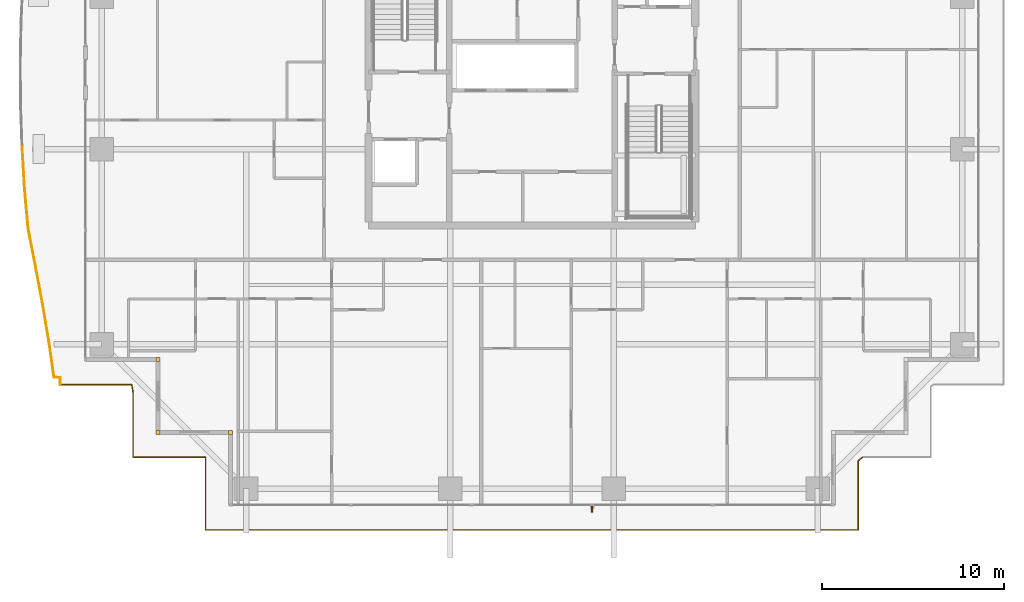
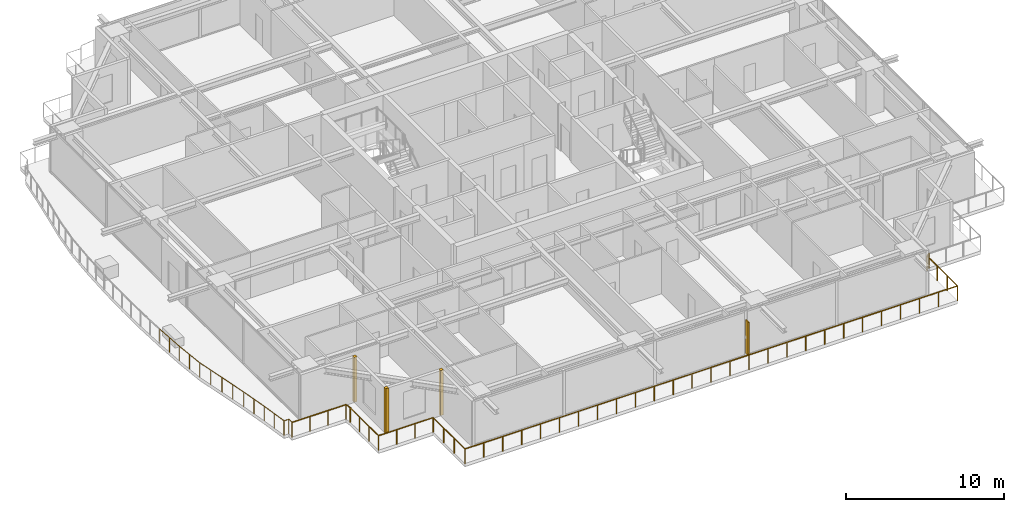
# One storey, part 34 of 39: 3 coverings, 2 railings, 1 shading device.
"""IFC4 building model written with IfcOpenShell, lengths in metres."""

from ifc_helpers import new_model, si_unit, direction, frame, origin, origin_2d, place, context, subcontext, project, spatial, rectangle, circle, extrude, source, transform, mapped, material, layer, layer_set, type_object, element, save


model = new_model("IFC4")

# Units and contexts
model_context = context("Model", 3, precision=1e-05, world=origin(), true_north=direction((0.0, 1.0)))
body_context = subcontext(model_context, "Body", "Model", "MODEL_VIEW")
ifc_project = project(units=[si_unit("LENGTHUNIT", "METRE"), si_unit("AREAUNIT", "SQUARE_METRE"), si_unit("VOLUMEUNIT", "CUBIC_METRE"), si_unit("PLANEANGLEUNIT", "RADIAN"), si_unit("MASSUNIT", "GRAM", prefix="KILO")], contexts=[model_context])

# Site, building, storey
site_placement = place(None, origin())
site = spatial("IfcSite", under=ifc_project, at=site_placement, CompositionType="ELEMENT")
building_placement = place(site_placement, origin())
building = spatial("IfcBuilding", under=site, at=building_placement, Name="Serunith Strait Residences", CompositionType="ELEMENT")
storey_placement = place(building_placement, frame((0.0, 0.0, 168.89990234375)))
storey = spatial("IfcBuildingStorey", under=building, at=storey_placement, Name="L42", CompositionType="ELEMENT", Elevation=168.89990234375)

# Railings
ifc_material_1 = material(Name="Stainless Steel & Laminated Glass Balustrade", Category="steel")
railing_type = type_object("IfcRailingType", Name="RLG-BALC-1150", PredefinedType="BALUSTRADE", material=ifc_material_1)
railing_1_placement = place(storey_placement, frame((6.419921875, 8.02001953125, -0.0498046875)))
element("IfcRailing", 1, at=railing_1_placement, inside=storey, type_object=railing_type, Name="L42 Swirling Balcony Perimeter Balustrade 1", PredefinedType="BALUSTRADE", context=body_context, shape_type="SweptSolid", body=[
    extrude(circle(Radius=0.02392578125, at=origin_2d()), frame((0.0, 0.001953125, 1.1259765625), z_axis=(0.0, 1.0, 0.0), x_axis=(-1.0, 0.0, 0.0)), (0.0, 0.0, 1.0), 0.390625),
    extrude(circle(Radius=0.02392578125, at=origin_2d()), frame((-0.001953125, 0.39453125, 1.1259765625), z_axis=(-0.998410086196, 0.056367541917, 0.0), x_axis=(-0.056367541917, -0.998410086196, 0.0)), (0.0, 0.0, 1.0), 0.342529296875),
    extrude(circle(Radius=0.02392578125, at=origin_2d()), frame((-0.34619140625, 0.416015625, 1.1259765625), z_axis=(-0.140913758073, 0.990021874903, 0.0), x_axis=(-0.990021874903, -0.140913758073, 0.0)), (0.0, 0.0, 1.0), 2.01611328125),
    extrude(circle(Radius=0.02392578125, at=origin_2d()), frame((-0.630859375, 2.416015625, 1.1259765625), z_axis=(-0.166330803925, 0.986070009515, 0.0), x_axis=(-0.986070009515, -0.166330803925, 0.0)), (0.0, 0.0, 1.0), 2.045166015625),
    extrude(circle(Radius=0.02392578125, at=origin_2d()), frame((-0.971923828125, 4.4365234375, 1.1259765625), z_axis=(-0.185006419275, 0.982737312219, 0.0), x_axis=(-0.982737312219, -0.185006419275, 0.0)), (0.0, 0.0, 1.0), 2.09033203125),
    extrude(circle(Radius=0.02392578125, at=origin_2d()), frame((-1.359375, 6.49462890625, 1.1259765625), z_axis=(-0.190205177001, 0.981744361146, 0.0), x_axis=(-0.981744361146, -0.190205177001, 0.0)), (0.0, 0.0, 1.0), 2.14990234375),
    extrude(circle(Radius=0.02392578125, at=origin_2d()), frame((-1.768798828125, 8.609130859375, 1.1259765625), z_axis=(-0.09010297996, 0.995932454036, 0.0), x_axis=(-0.995932454036, -0.09010297996, 0.0)), (0.0, 0.0, 1.0), 2.234130859375),
    extrude(circle(Radius=0.02392578125, at=origin_2d()), frame((-1.97021484375, 10.838134765625, 1.1259765625), z_axis=(-0.057923429193, 0.998321028703, 0.0), x_axis=(-0.998321028703, -0.057923429193, 0.0)), (0.0, 0.0, 1.0), 2.27197265625),
    extrude(circle(Radius=0.02099609375, at=origin_2d()), origin(), (0.0, 0.0, 1.0), 1.099853515625),
    extrude(circle(Radius=0.02099609375, at=origin_2d()), frame((0.0, 0.39453125, 0.0)), (0.0, 0.0, 1.0), 1.099853515625),
    extrude(circle(Radius=0.02099609375, at=origin_2d()), frame((-0.345947265625, 0.4140625, 0.0)), (0.0, 0.0, 1.0), 1.099853515625),
    extrude(circle(Radius=0.02099609375, at=origin_2d()), frame((-0.48828125, 1.4140625, 0.0)), (0.0, 0.0, 1.0), 1.099853515625),
    extrude(circle(Radius=0.02099609375, at=origin_2d()), frame((-0.630615234375, 2.4140625, 0.0)), (0.0, 0.0, 1.0), 1.099853515625),
    extrude(circle(Radius=0.02099609375, at=origin_2d()), frame((-0.801025390625, 3.42431640625, 0.0)), (0.0, 0.0, 1.0), 1.099853515625),
    extrude(circle(Radius=0.02099609375, at=origin_2d()), frame((-0.971435546875, 4.4345703125, 0.0)), (0.0, 0.0, 1.0), 1.099853515625),
    extrude(circle(Radius=0.02099609375, at=origin_2d()), frame((-1.1650390625, 5.463623046875, 0.0)), (0.0, 0.0, 1.0), 1.099853515625),
    extrude(circle(Radius=0.02099609375, at=origin_2d()), frame((-1.35888671875, 6.49267578125, 0.0)), (0.0, 0.0, 1.0), 1.099853515625),
    extrude(circle(Radius=0.02099609375, at=origin_2d()), frame((-1.563720703125, 7.5498046875, 0.0)), (0.0, 0.0, 1.0), 1.099853515625),
    extrude(circle(Radius=0.02099609375, at=origin_2d()), frame((-1.7685546875, 8.607177734375, 0.0)), (0.0, 0.0, 1.0), 1.099853515625),
    extrude(circle(Radius=0.02099609375, at=origin_2d()), frame((-1.869384765625, 9.7216796875, 0.0)), (0.0, 0.0, 1.0), 1.099853515625),
    extrude(circle(Radius=0.02099609375, at=origin_2d()), frame((-1.97021484375, 10.836181640625, 0.0)), (0.0, 0.0, 1.0), 1.099853515625),
    extrude(circle(Radius=0.02099609375, at=origin_2d()), frame((-2.0361328125, 11.97216796875, 0.0)), (0.0, 0.0, 1.0), 1.099853515625),
    extrude(circle(Radius=0.02099609375, at=origin_2d()), frame((-2.10205078125, 13.1083984375, 0.0)), (0.0, 0.0, 1.0), 1.099853515625),
])
railing_2_placement = place(storey_placement, frame((50.601806640625, 4.02001953125, -0.0498046875)))
element("IfcRailing", 2, at=railing_2_placement, inside=storey, type_object=railing_type, Name="L42 Swirling Balcony Perimeter Balustrade 8", PredefinedType="BALUSTRADE", context=body_context, shape_type="SweptSolid", body=[
    extrude(circle(Radius=0.02392578125, at=origin_2d()), frame((-0.00146484375, -0.001220703125, 1.1259765625), z_axis=(-0.778021630841, -0.62823748849, 0.0), x_axis=(0.62823748849, -0.778021630841, 0.0)), (0.0, 0.0, 1.0), 0.28125),
    extrude(circle(Radius=0.02392578125, at=origin_2d()), frame((-0.221923828125, -0.18115234375, 1.1259765625), z_axis=(0.0, -1.0, 0.0), x_axis=(1.0, 0.0, 0.0)), (0.0, 0.0, 1.0), 3.81689453125),
    extrude(circle(Radius=0.02392578125, at=origin_2d()), frame((-0.223876953125, -4.0, 1.1259765625), z_axis=(-1.0, 0.0, 0.0), x_axis=(0.0, -1.0, 0.0)), (0.0, 0.0, 1.0), 35.9560546875),
    extrude(circle(Radius=0.02392578125, at=origin_2d()), frame((-36.181884765625, -3.998046875, 1.1259765625), z_axis=(0.0, 1.0, 0.0), x_axis=(-1.0, 0.0, 0.0)), (0.0, 0.0, 1.0), 3.99609375),
    extrude(circle(Radius=0.02392578125, at=origin_2d()), frame((-36.183837890625, 0.0, 1.1259765625), z_axis=(-1.0, 0.0, 0.0), x_axis=(0.0, -1.0, 0.0)), (0.0, 0.0, 1.0), 3.99609375),
    extrude(circle(Radius=0.02392578125, at=origin_2d()), frame((-40.181884765625, 0.001953125, 1.1259765625), z_axis=(0.0, 1.0, 0.0), x_axis=(-1.0, 0.0, 0.0)), (0.0, 0.0, 1.0), 3.561279296875),
    extrude(circle(Radius=0.02392578125, at=origin_2d()), frame((-40.18212890625, 3.567138671875, 1.1259765625), z_axis=(-0.147715854958, 0.989029840902, 0.0), x_axis=(-0.989029840902, -0.147715854958, 0.0)), (0.0, 0.0, 1.0), 0.435546875),
    extrude(circle(Radius=0.02392578125, at=origin_2d()), frame((-40.248779296875, 4.0, 1.1259765625), z_axis=(-1.0, 0.0, 0.0), x_axis=(0.0, -1.0, 0.0)), (0.0, 0.0, 1.0), 3.93115234375),
    extrude(circle(Radius=0.02099609375, at=origin_2d()), origin(), (0.0, 0.0, 1.0), 1.099853515625),
    extrude(circle(Radius=0.02099609375, at=origin_2d()), frame((-0.221923828125, -0.17919921875, 0.0)), (0.0, 0.0, 1.0), 1.099853515625),
    extrude(circle(Radius=0.02099609375, at=origin_2d()), frame((-0.221923828125, -1.452880859375, 0.0)), (0.0, 0.0, 1.0), 1.099853515625),
    extrude(circle(Radius=0.02099609375, at=origin_2d()), frame((-0.221923828125, -2.726318359375, 0.0)), (0.0, 0.0, 1.0), 1.099853515625),
    extrude(circle(Radius=0.02099609375, at=origin_2d()), frame((-0.221923828125, -4.0, 0.0)), (0.0, 0.0, 1.0), 1.099853515625),
    extrude(circle(Radius=0.02099609375, at=origin_2d()), frame((-1.60498046875, -4.0, 0.0)), (0.0, 0.0, 1.0), 1.099853515625),
    extrude(circle(Radius=0.02099609375, at=origin_2d()), frame((-2.988037109375, -4.0, 0.0)), (0.0, 0.0, 1.0), 1.099853515625),
    extrude(circle(Radius=0.02099609375, at=origin_2d()), frame((-4.37109375, -4.0, 0.0)), (0.0, 0.0, 1.0), 1.099853515625),
    extrude(circle(Radius=0.02099609375, at=origin_2d()), frame((-5.754150390625, -4.0, 0.0)), (0.0, 0.0, 1.0), 1.099853515625),
    extrude(circle(Radius=0.02099609375, at=origin_2d()), frame((-7.13720703125, -4.0, 0.0)), (0.0, 0.0, 1.0), 1.099853515625),
    extrude(circle(Radius=0.02099609375, at=origin_2d()), frame((-8.520263671875, -4.0, 0.0)), (0.0, 0.0, 1.0), 1.099853515625),
    extrude(circle(Radius=0.02099609375, at=origin_2d()), frame((-9.903564453125, -4.0, 0.0)), (0.0, 0.0, 1.0), 1.099853515625),
    extrude(circle(Radius=0.02099609375, at=origin_2d()), frame((-11.28662109375, -4.0, 0.0)), (0.0, 0.0, 1.0), 1.099853515625),
    extrude(circle(Radius=0.02099609375, at=origin_2d()), frame((-12.669677734375, -4.0, 0.0)), (0.0, 0.0, 1.0), 1.099853515625),
    extrude(circle(Radius=0.02099609375, at=origin_2d()), frame((-14.052734375, -4.0, 0.0)), (0.0, 0.0, 1.0), 1.099853515625),
    extrude(circle(Radius=0.02099609375, at=origin_2d()), frame((-15.435791015625, -4.0, 0.0)), (0.0, 0.0, 1.0), 1.099853515625),
    extrude(circle(Radius=0.02099609375, at=origin_2d()), frame((-16.81884765625, -4.0, 0.0)), (0.0, 0.0, 1.0), 1.099853515625),
    extrude(circle(Radius=0.02099609375, at=origin_2d()), frame((-18.201904296875, -4.0, 0.0)), (0.0, 0.0, 1.0), 1.099853515625),
    extrude(circle(Radius=0.02099609375, at=origin_2d()), frame((-19.5849609375, -4.0, 0.0)), (0.0, 0.0, 1.0), 1.099853515625),
    extrude(circle(Radius=0.02099609375, at=origin_2d()), frame((-20.968017578125, -4.0, 0.0)), (0.0, 0.0, 1.0), 1.099853515625),
    extrude(circle(Radius=0.02099609375, at=origin_2d()), frame((-22.35107421875, -4.0, 0.0)), (0.0, 0.0, 1.0), 1.099853515625),
    extrude(circle(Radius=0.02099609375, at=origin_2d()), frame((-23.734130859375, -4.0, 0.0)), (0.0, 0.0, 1.0), 1.099853515625),
    extrude(circle(Radius=0.02099609375, at=origin_2d()), frame((-25.1171875, -4.0, 0.0)), (0.0, 0.0, 1.0), 1.099853515625),
    extrude(circle(Radius=0.02099609375, at=origin_2d()), frame((-26.500244140625, -4.0, 0.0)), (0.0, 0.0, 1.0), 1.099853515625),
    extrude(circle(Radius=0.02099609375, at=origin_2d()), frame((-27.883544921875, -4.0, 0.0)), (0.0, 0.0, 1.0), 1.099853515625),
    extrude(circle(Radius=0.02099609375, at=origin_2d()), frame((-29.2666015625, -4.0, 0.0)), (0.0, 0.0, 1.0), 1.099853515625),
    extrude(circle(Radius=0.02099609375, at=origin_2d()), frame((-30.649658203125, -4.0, 0.0)), (0.0, 0.0, 1.0), 1.099853515625),
    extrude(circle(Radius=0.02099609375, at=origin_2d()), frame((-32.03271484375, -4.0, 0.0)), (0.0, 0.0, 1.0), 1.099853515625),
    extrude(circle(Radius=0.02099609375, at=origin_2d()), frame((-33.415771484375, -4.0, 0.0)), (0.0, 0.0, 1.0), 1.099853515625),
    extrude(circle(Radius=0.02099609375, at=origin_2d()), frame((-34.798828125, -4.0, 0.0)), (0.0, 0.0, 1.0), 1.099853515625),
    extrude(circle(Radius=0.02099609375, at=origin_2d()), frame((-36.181884765625, -4.0, 0.0)), (0.0, 0.0, 1.0), 1.099853515625),
    extrude(circle(Radius=0.02099609375, at=origin_2d()), frame((-36.181884765625, -2.666748046875, 0.0)), (0.0, 0.0, 1.0), 1.099853515625),
    extrude(circle(Radius=0.02099609375, at=origin_2d()), frame((-36.181884765625, -1.333251953125, 0.0)), (0.0, 0.0, 1.0), 1.099853515625),
    extrude(circle(Radius=0.02099609375, at=origin_2d()), frame((-36.181884765625, 0.0, 0.0)), (0.0, 0.0, 1.0), 1.099853515625),
    extrude(circle(Radius=0.02099609375, at=origin_2d()), frame((-37.51513671875, 0.0, 0.0)), (0.0, 0.0, 1.0), 1.099853515625),
    extrude(circle(Radius=0.02099609375, at=origin_2d()), frame((-38.8486328125, 0.0, 0.0)), (0.0, 0.0, 1.0), 1.099853515625),
    extrude(circle(Radius=0.02099609375, at=origin_2d()), frame((-40.181884765625, 0.0, 0.0)), (0.0, 0.0, 1.0), 1.099853515625),
    extrude(circle(Radius=0.02099609375, at=origin_2d()), frame((-40.181884765625, 1.1884765625, 0.0)), (0.0, 0.0, 1.0), 1.099853515625),
    extrude(circle(Radius=0.02099609375, at=origin_2d()), frame((-40.181884765625, 2.376708984375, 0.0)), (0.0, 0.0, 1.0), 1.099853515625),
    extrude(circle(Radius=0.02099609375, at=origin_2d()), frame((-40.181884765625, 3.565185546875, 0.0)), (0.0, 0.0, 1.0), 1.099853515625),
    extrude(circle(Radius=0.02099609375, at=origin_2d()), frame((-40.246826171875, 4.0, 0.0)), (0.0, 0.0, 1.0), 1.099853515625),
    extrude(circle(Radius=0.02099609375, at=origin_2d()), frame((-41.55859375, 4.0, 0.0)), (0.0, 0.0, 1.0), 1.099853515625),
    extrude(circle(Radius=0.02099609375, at=origin_2d()), frame((-42.8701171875, 4.0, 0.0)), (0.0, 0.0, 1.0), 1.099853515625),
    extrude(circle(Radius=0.02099609375, at=origin_2d()), frame((-44.181884765625, 4.0, 0.0)), (0.0, 0.0, 1.0), 1.099853515625),
])

# Coverings
ifc_material_2 = material(Name="Pale-Champagne Anodised Aluminium", Category="aluminium")
ifc_layer = layer(ifc_material_2, 0.219970703125, Name="Pale-Champagne Anodised Aluminium")
ifc_layer_set = layer_set([ifc_layer], Name="Pale-Champagne Anodised Aluminium")
covering_type = type_object("IfcCoveringType", Name="COV-CORN-TRIM", PredefinedType="CLADDING", material=ifc_layer_set)
shared_shape_1 = source(origin(), body_context, "Body", "SweptSolid", [
    extrude(rectangle(XDim=0.221923828125, YDim=0.221923828125, at=origin_2d()), origin(), (0.0, 0.0, 1.0), 3.47509765625),
])
for number, where, z_axis, x_axis, name in (
    (3, (11.800048828125, 9.39990234375, 0.0), (0.0, 0.0, 1.0), (1.0, 0.0, 0.0), "L42 Girih Serrated Corner Trim Post 17"),
    (4, (11.800048828125, 5.39990234375, 0.0), (0.0, 0.0, 1.0), (1.0, 0.0, 0.0), "L42 Girih Serrated Corner Trim Post 18"),
    (5, (15.800048828125, 5.39990234375, 0.0), (0.0, 0.0, 1.0), (1.0, 0.0, 0.0), "L42 Girih Serrated Corner Trim Post 19"),
):
    element("IfcCovering", number, at=place(storey_placement, frame(where, z_axis=z_axis, x_axis=x_axis)), inside=storey, type_object=covering_type, Name=name, PredefinedType="CLADDING", context=body_context, shape_type="MappedRepresentation", body=[
        mapped(shared_shape_1, transform((0.0, 0.0, 0.0), scale=1.0)),
    ])

# Shading device
ifc_material_3 = material(Name="Pale-Champagne Perforated Aluminium Fin", Category="aluminium")
shading_device_type = type_object("IfcShadingDeviceType", Name="SHD-DIAG-FIN", PredefinedType="AWNING", material=ifc_material_3)
shared_shape_2 = source(origin(), body_context, "Body", "SweptSolid", [
    extrude(rectangle(XDim=0.080078125, YDim=0.35009765625, at=origin_2d()), origin(), (0.0, 0.0, 1.0), 2.60009765625),
])
shading_device_placement = place(storey_placement, frame((35.719970703125, 1.179931640625, 0.199951171875), z_axis=(0.0, 0.0, 1.0), x_axis=(1.0, 0.0, 0.0)))
element("IfcShadingDevice", 6, at=shading_device_placement, inside=storey, type_object=shading_device_type, Name="L42 Diagonal Rhythm Solar Fin S", PredefinedType="AWNING", context=body_context, shape_type="MappedRepresentation", body=[
    mapped(shared_shape_2, transform((0.0, 0.0, 0.0), scale=1.0)),
])

save(model, "model.ifc")
